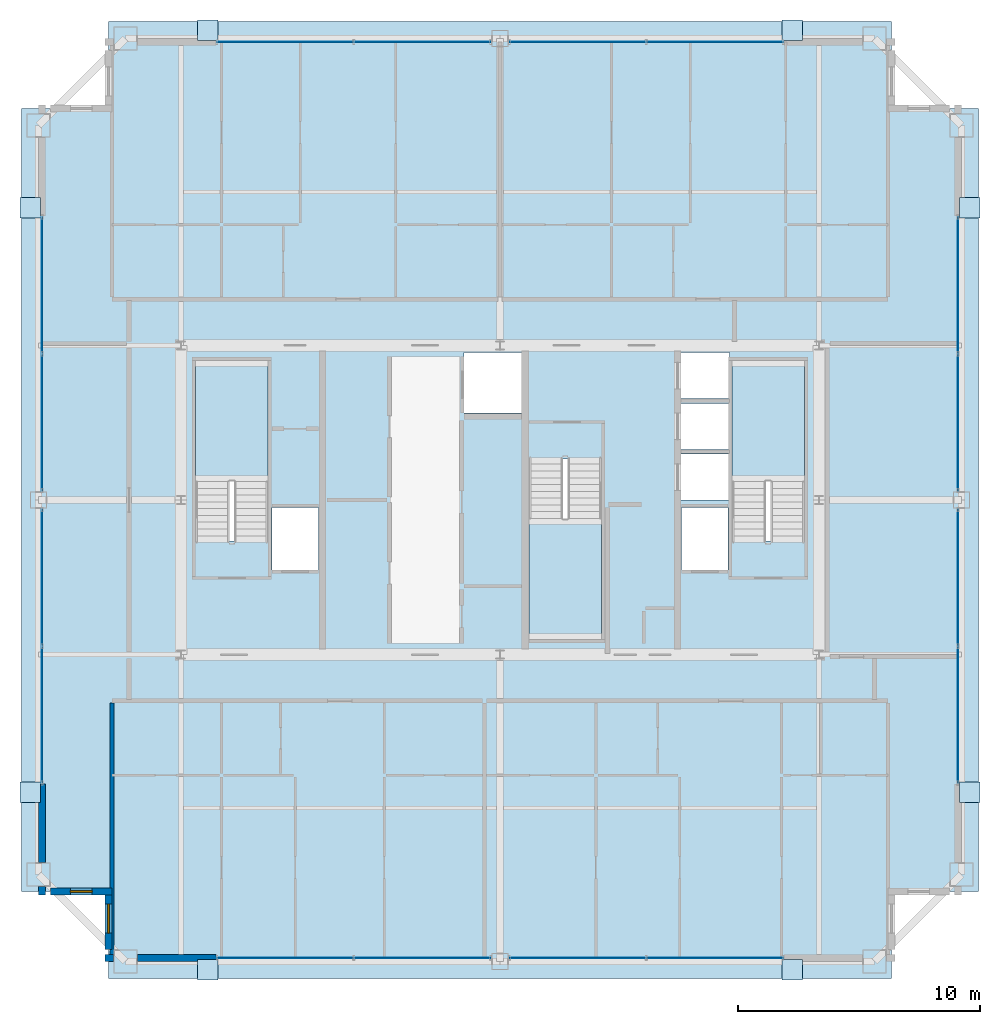
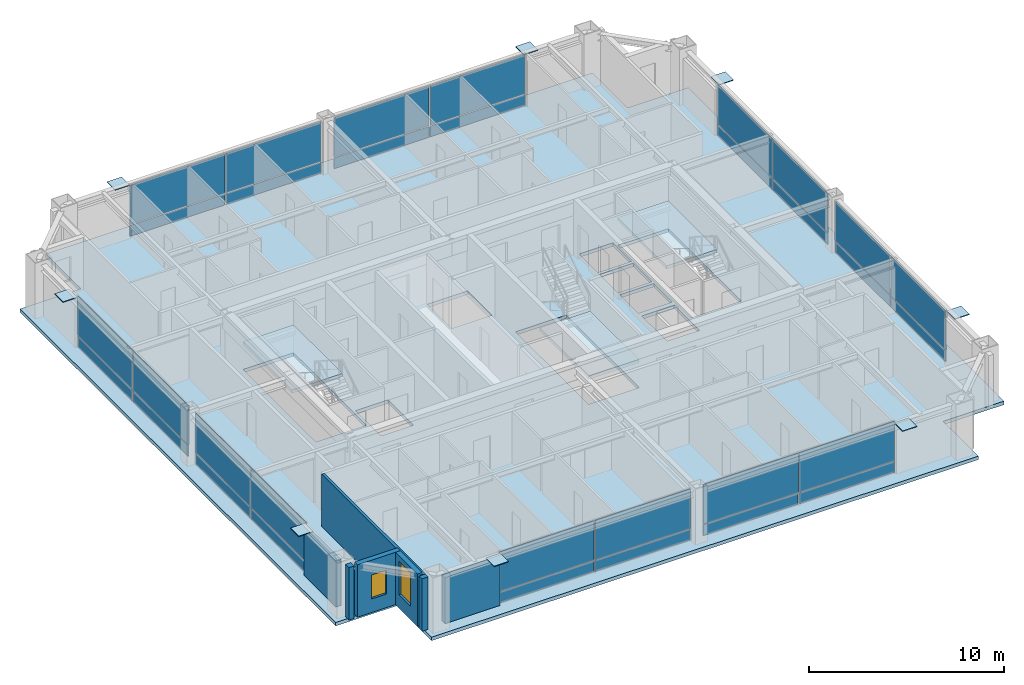
# One storey, part 29 of 35: 40 plates, 7 walls, 4 slabs, 2 windows, 2 openings, 11 elements without a shape of their own.
"""IFC4 building model written with IfcOpenShell, lengths in metres."""

from ifc_helpers import new_model, si_unit, direction, frame, frame_2d, origin, origin_2d, place, context, subcontext, project, spatial, polyline, rectangle, outline, extrude, source, transform, mapped, material, layer, layer_set, type_object, element, fill, aggregate, save


model = new_model("IFC4")

# Units and contexts
model_context = context("Model", 3, precision=1e-05, world=origin(), true_north=direction((0.0, 1.0)))
body_context = subcontext(model_context, "Body", "Model", "MODEL_VIEW")
ifc_project = project(units=[si_unit("LENGTHUNIT", "METRE"), si_unit("AREAUNIT", "SQUARE_METRE"), si_unit("VOLUMEUNIT", "CUBIC_METRE"), si_unit("PLANEANGLEUNIT", "RADIAN"), si_unit("MASSUNIT", "GRAM", prefix="KILO"), si_unit("THERMODYNAMICTEMPERATUREUNIT", "KELVIN"), si_unit("POWERUNIT", "WATT")], contexts=[model_context])

# Site, building, storey
site_placement = place(None, origin())
site = spatial("IfcSite", under=ifc_project, at=site_placement, CompositionType="ELEMENT")
building_placement = place(site_placement, origin())
building = spatial("IfcBuilding", under=site, at=building_placement, Name="Yuzanri Waterfront Tower", CompositionType="ELEMENT")
storey_placement = place(building_placement, frame((0.0, 0.0, 296.10009765625)))
storey = spatial("IfcBuildingStorey", under=building, at=storey_placement, Name="L79", CompositionType="ELEMENT", Elevation=296.10009765625)

# Stair, slab
ifc_material_1 = material(Name="Concrete C40", Category="concrete")
stair_type = type_object("IfcStairType", Name="Concrete C40 Core Dogleg Exit Stair", PredefinedType="HALF_TURN_STAIR", material=ifc_material_1)
stair_1_placement = place(storey_placement, origin())
stair_1 = element("IfcStair", 1, at=stair_1_placement, inside=storey, type_object=stair_type, Name="L79 Smoke-Proof Core Stair ST-01", PredefinedType="HALF_TURN_STAIR")
ifc_material_2 = material(Name="Concrete C40", Category="concrete")
ifc_layer_1 = layer(ifc_material_2, 0.179931640625)
ifc_layer_set_1 = layer_set([ifc_layer_1], Name="Concrete C40")
slab_type_1 = type_object("IfcSlabType", Name="Concrete C40 Stair Half-Landing Slab 180", PredefinedType="LANDING", material=ifc_layer_set_1)
slab_1_placement = place(storey_placement, frame((0.0, 0.0, 1.5498046875)))
slab_1 = element("IfcSlab", 2, at=slab_1_placement, type_object=slab_type_1, Name="ST-01 landing 1", PredefinedType="LANDING", context=body_context, shape_type="SweptSolid", body=[
    extrude(outline(polyline([(27.39990234375, 26.56005859375), (27.39990234375, 31.580078125), (24.39990234375, 31.580078125), (24.39990234375, 26.56005859375), (27.39990234375, 26.56005859375)])), origin(), (0.0, 0.0, 1.0), 0.2001953125),
])
aggregate(stair_1, [slab_1])

stair_2_placement = place(storey_placement, origin())
stair_2 = element("IfcStair", 3, at=stair_2_placement, inside=storey, type_object=stair_type, Name="L79 Smoke-Proof Core Stair ST-02", PredefinedType="HALF_TURN_STAIR")
slab_2_placement = place(storey_placement, frame((0.0, 0.0, 1.5498046875)))
slab_2 = element("IfcSlab", 4, at=slab_2_placement, type_object=slab_type_1, Name="ST-02 landing 1", PredefinedType="LANDING", context=body_context, shape_type="SweptSolid", body=[
    extrude(outline(polyline([(49.60009765625, 26.56005859375), (49.60009765625, 31.580078125), (46.60009765625, 31.580078125), (46.60009765625, 26.56005859375), (49.60009765625, 26.56005859375)])), origin(), (0.0, 0.0, 1.0), 0.2001953125),
])
aggregate(stair_2, [slab_2])

stair_3_placement = place(storey_placement, origin())
stair_3 = element("IfcStair", 5, at=stair_3_placement, inside=storey, type_object=stair_type, Name="L79 Smoke-Proof Core Stair ST-03", PredefinedType="HALF_TURN_STAIR")
slab_3_placement = place(storey_placement, frame((0.0, 0.0, 1.5498046875)))
slab_3 = element("IfcSlab", 6, at=slab_3_placement, type_object=slab_type_1, Name="ST-03 landing 1", PredefinedType="LANDING", context=body_context, shape_type="SweptSolid", body=[
    extrude(outline(polyline([(38.199951171875, 25.0400390625), (38.199951171875, 20.02001953125), (41.199951171875, 20.02001953125), (41.199951171875, 25.0400390625), (38.199951171875, 25.0400390625)])), origin(), (0.0, 0.0, 1.0), 0.2001953125),
])
aggregate(stair_3, [slab_3])

# Slab
ifc_material_3 = material(Name="Concrete C40", Category="concrete")
ifc_layer_2 = layer(ifc_material_3, 0.219970703125)
ifc_layer_set_2 = layer_set([ifc_layer_2], Name="Concrete C40")
slab_type_2 = type_object("IfcSlabType", Name="Concrete C40 Tower Typical Structural Floor Slab 220", PredefinedType="FLOOR", material=ifc_layer_set_2)
slab_4_placement = place(storey_placement, frame((0.0, 0.0, -0.22021484375)))
element("IfcSlab", 7, at=slab_4_placement, inside=storey, type_object=slab_type_2, Name="L79 Main Structural Floor Slab", PredefinedType="FLOOR", context=body_context, shape_type="SweptSolid", body=[
    extrude(outline(polyline([(20.800048828125, 6.0), (53.199951171875, 6.0), (53.199951171875, 9.60009765625), (56.800048828125, 9.60009765625), (56.800048828125, 42.0), (53.199951171875, 42.0), (53.199951171875, 45.60009765625), (20.800048828125, 45.60009765625), (20.800048828125, 42.0), (17.199951171875, 42.0), (17.199951171875, 9.60009765625), (20.800048828125, 9.60009765625), (20.800048828125, 6.0)]), holes=[polyline([(27.39990234375, 24.10009765625), (27.39990234375, 31.580078125), (24.39990234375, 31.580078125), (24.39990234375, 24.10009765625), (27.39990234375, 24.10009765625)]), polyline([(49.60009765625, 24.10009765625), (49.60009765625, 31.580078125), (46.60009765625, 31.580078125), (46.60009765625, 24.10009765625), (49.60009765625, 24.10009765625)]), polyline([(38.199951171875, 27.5), (38.199951171875, 20.02001953125), (41.199951171875, 20.02001953125), (41.199951171875, 27.5), (38.199951171875, 27.5)]), polyline([(27.56005859375, 22.89990234375), (29.47998046875, 22.89990234375), (29.47998046875, 25.5), (27.56005859375, 25.5), (27.56005859375, 22.89990234375)]), polyline([(44.52001953125, 22.89990234375), (46.43994140625, 22.89990234375), (46.43994140625, 25.5), (44.52001953125, 25.5), (44.52001953125, 22.89990234375)]), polyline([(35.5, 29.39990234375), (37.89990234375, 29.39990234375), (37.89990234375, 31.89990234375), (35.5, 31.89990234375), (35.5, 29.39990234375)]), polyline([(44.5, 25.800048828125), (46.5, 25.800048828125), (46.5, 27.699951171875), (44.5, 27.699951171875), (44.5, 25.800048828125)]), polyline([(44.5, 27.89990234375), (46.5, 27.89990234375), (46.5, 29.800048828125), (44.5, 29.800048828125), (44.5, 27.89990234375)]), polyline([(44.5, 30.0), (46.5, 30.0), (46.5, 31.89990234375), (44.5, 31.89990234375), (44.5, 30.0)])]), origin(), (0.0, 0.0, 1.0), 0.22021484375),
])

# Plates
ifc_material_4 = material(Name="Steel Q420GJC", Category="steel")
ifc_layer_3 = layer(ifc_material_4, 0.0400390625)
ifc_layer_set_3 = layer_set([ifc_layer_3], Name="Steel Q420GJC")
plate_type_1 = type_object("IfcPlateType", Name="Steel Q420GJC Mega-Brace Gusset and End-Cap Plate 40", PredefinedType="SHEET", material=ifc_layer_set_3)
shared_shape_1 = source(origin(), body_context, "Body", "SweptSolid", [
    extrude(rectangle(XDim=0.85009765625, YDim=0.85009765625, at=origin_2d()), origin(), (0.0, 0.0, 1.0), 0.0400390625),
])
for number, where, z_axis, x_axis, name in (
    (8, (24.89990234375, 6.360107421875, 3.159912109375), (0.0, 0.0, 1.0), (1.0, 0.0, 0.0), "L79 Mega-Brace Apex Cap Plate S-L"),
    (9, (49.10009765625, 6.360107421875, 3.159912109375), (0.0, 0.0, 1.0), (1.0, 0.0, 0.0), "L79 Mega-Brace Apex Cap Plate S-R"),
    (10, (24.89990234375, 45.239990234375, 3.159912109375), (0.0, 0.0, 1.0), (1.0, 0.0, 0.0), "L79 Mega-Brace Apex Cap Plate N-L"),
    (11, (49.10009765625, 45.239990234375, 3.159912109375), (0.0, 0.0, 1.0), (1.0, 0.0, 0.0), "L79 Mega-Brace Apex Cap Plate N-R"),
    (12, (17.56005859375, 13.699951171875, 3.159912109375), (0.0, 0.0, 1.0), (1.0, 0.0, 0.0), "L79 Mega-Brace Apex Cap Plate W-L"),
    (13, (17.56005859375, 37.89990234375, 3.159912109375), (0.0, 0.0, 1.0), (1.0, 0.0, 0.0), "L79 Mega-Brace Apex Cap Plate W-R"),
    (14, (56.43994140625, 13.699951171875, 3.159912109375), (0.0, 0.0, 1.0), (1.0, 0.0, 0.0), "L79 Mega-Brace Apex Cap Plate E-L"),
    (15, (56.43994140625, 37.89990234375, 3.159912109375), (0.0, 0.0, 1.0), (1.0, 0.0, 0.0), "L79 Mega-Brace Apex Cap Plate E-R"),
):
    element("IfcPlate", number, at=place(storey_placement, frame(where, z_axis=z_axis, x_axis=x_axis)), inside=storey, type_object=plate_type_1, Name=name, PredefinedType="SHEET", context=body_context, shape_type="MappedRepresentation", body=[
        mapped(shared_shape_1, transform((0.0, 0.0, 0.0), scale=1.0)),
    ])

# Curtain wall, plates
ifc_material_5 = material(Name="Anodized Architectural Bronze", Category="metal")
ifc_layer_4 = layer(ifc_material_5, 0.159912109375)
ifc_layer_set_4 = layer_set([ifc_layer_4], Name="Anodized Architectural Bronze")
curtain_wall_type = type_object("IfcCurtainWallType", Name="Anodized Bronze High-Rise Penthouse High-Wind Unitized Curtain Wall 6900", PredefinedType="NOTDEFINED", material=ifc_layer_set_4)
curtain_wall_1_placement = place(storey_placement, origin())
curtain_wall_1 = element("IfcCurtainWall", 16, at=curtain_wall_1_placement, inside=storey, type_object=curtain_wall_type, Name="L79 Curtain Wall CW-L79-SL", PredefinedType="NOTDEFINED")
ifc_material_6 = material(Name="Anodized Architectural Bronze", Category="metal")
ifc_layer_5 = layer(ifc_material_6, 0.028076171875)
ifc_layer_set_5 = layer_set([ifc_layer_5], Name="Anodized Architectural Bronze")
plate_type_2 = type_object("IfcPlateType", Name="Bronze Insulated Spandrel Shadow-Box Panel 28", PredefinedType="CURTAIN_PANEL", material=ifc_layer_set_5)
shared_shape_2 = source(origin(), body_context, "Body", "SweptSolid", [
    extrude(rectangle(XDim=5.6201171875, YDim=0.028076171875, at=origin_2d()), origin(), (0.0, 0.0, 1.0), 0.674072265625),
])
plate_1_placement = place(storey_placement, frame((28.10009765625, 6.85009765625, 0.0498046875), z_axis=(0.0, 0.0, 1.0), x_axis=(1.0, 0.0, 0.0)))
plate_1 = element("IfcPlate", 17, at=plate_1_placement, type_object=plate_type_2, Name="CW-L79-SL Spandrel Panel 01", PredefinedType="CURTAIN_PANEL", context=body_context, shape_type="MappedRepresentation", body=[
    mapped(shared_shape_2, transform((0.0, 0.0, 0.0), scale=1.0)),
])
plate_2_placement = place(storey_placement, frame((33.800048828125, 6.85009765625, 0.0498046875), z_axis=(0.0, 0.0, 1.0), x_axis=(1.0, 0.0, 0.0)))
plate_2 = element("IfcPlate", 18, at=plate_2_placement, type_object=plate_type_2, Name="CW-L79-SL Spandrel Panel 02", PredefinedType="CURTAIN_PANEL", context=body_context, shape_type="MappedRepresentation", body=[
    mapped(shared_shape_2, transform((0.0, 0.0, 0.0), scale=1.0)),
])

curtain_wall_2_placement = place(storey_placement, origin())
curtain_wall_2 = element("IfcCurtainWall", 19, at=curtain_wall_2_placement, inside=storey, type_object=curtain_wall_type, Name="L79 Curtain Wall CW-L79-SR", PredefinedType="NOTDEFINED")
plate_3_placement = place(storey_placement, frame((40.199951171875, 6.85009765625, 0.0498046875), z_axis=(0.0, 0.0, 1.0), x_axis=(1.0, 0.0, 0.0)))
plate_3 = element("IfcPlate", 20, at=plate_3_placement, type_object=plate_type_2, Name="CW-L79-SR Spandrel Panel 01", PredefinedType="CURTAIN_PANEL", context=body_context, shape_type="MappedRepresentation", body=[
    mapped(shared_shape_2, transform((0.0, 0.0, 0.0), scale=1.0)),
])
plate_4_placement = place(storey_placement, frame((45.89990234375, 6.85009765625, 0.0498046875), z_axis=(0.0, 0.0, 1.0), x_axis=(1.0, 0.0, 0.0)))
plate_4 = element("IfcPlate", 21, at=plate_4_placement, type_object=plate_type_2, Name="CW-L79-SR Spandrel Panel 02", PredefinedType="CURTAIN_PANEL", context=body_context, shape_type="MappedRepresentation", body=[
    mapped(shared_shape_2, transform((0.0, 0.0, 0.0), scale=1.0)),
])

curtain_wall_3_placement = place(storey_placement, origin())
curtain_wall_3 = element("IfcCurtainWall", 22, at=curtain_wall_3_placement, inside=storey, type_object=curtain_wall_type, Name="L79 Curtain Wall CW-L79-NL", PredefinedType="NOTDEFINED")
plate_5_placement = place(storey_placement, frame((28.10009765625, 44.75, 0.0498046875), z_axis=(0.0, 0.0, 1.0), x_axis=(1.0, 0.0, 0.0)))
plate_5 = element("IfcPlate", 23, at=plate_5_placement, type_object=plate_type_2, Name="CW-L79-NL Spandrel Panel 01", PredefinedType="CURTAIN_PANEL", context=body_context, shape_type="MappedRepresentation", body=[
    mapped(shared_shape_2, transform((0.0, 0.0, 0.0), scale=1.0)),
])
plate_6_placement = place(storey_placement, frame((33.800048828125, 44.75, 0.0498046875), z_axis=(0.0, 0.0, 1.0), x_axis=(1.0, 0.0, 0.0)))
plate_6 = element("IfcPlate", 24, at=plate_6_placement, type_object=plate_type_2, Name="CW-L79-NL Spandrel Panel 02", PredefinedType="CURTAIN_PANEL", context=body_context, shape_type="MappedRepresentation", body=[
    mapped(shared_shape_2, transform((0.0, 0.0, 0.0), scale=1.0)),
])

curtain_wall_4_placement = place(storey_placement, origin())
curtain_wall_4 = element("IfcCurtainWall", 25, at=curtain_wall_4_placement, inside=storey, type_object=curtain_wall_type, Name="L79 Curtain Wall CW-L79-NR", PredefinedType="NOTDEFINED")
plate_7_placement = place(storey_placement, frame((40.199951171875, 44.75, 0.0498046875), z_axis=(0.0, 0.0, 1.0), x_axis=(1.0, 0.0, 0.0)))
plate_7 = element("IfcPlate", 26, at=plate_7_placement, type_object=plate_type_2, Name="CW-L79-NR Spandrel Panel 01", PredefinedType="CURTAIN_PANEL", context=body_context, shape_type="MappedRepresentation", body=[
    mapped(shared_shape_2, transform((0.0, 0.0, 0.0), scale=1.0)),
])
plate_8_placement = place(storey_placement, frame((45.89990234375, 44.75, 0.0498046875), z_axis=(0.0, 0.0, 1.0), x_axis=(1.0, 0.0, 0.0)))
plate_8 = element("IfcPlate", 27, at=plate_8_placement, type_object=plate_type_2, Name="CW-L79-NR Spandrel Panel 02", PredefinedType="CURTAIN_PANEL", context=body_context, shape_type="MappedRepresentation", body=[
    mapped(shared_shape_2, transform((0.0, 0.0, 0.0), scale=1.0)),
])

curtain_wall_5_placement = place(storey_placement, origin())
curtain_wall_5 = element("IfcCurtainWall", 28, at=curtain_wall_5_placement, inside=storey, type_object=curtain_wall_type, Name="L79 Curtain Wall CW-L79-WL", PredefinedType="NOTDEFINED")
plate_9_placement = place(storey_placement, frame((18.050048828125, 16.89990234375, 0.0498046875), z_axis=(0.0, 0.0, 1.0), x_axis=(0.0, 1.0, 0.0)))
plate_9 = element("IfcPlate", 29, at=plate_9_placement, type_object=plate_type_2, Name="CW-L79-WL Spandrel Panel 01", PredefinedType="CURTAIN_PANEL", context=body_context, shape_type="MappedRepresentation", body=[
    mapped(shared_shape_2, transform((0.0, 0.0, 0.0), scale=1.0)),
])
plate_10_placement = place(storey_placement, frame((18.050048828125, 22.60009765625, 0.0498046875), z_axis=(0.0, 0.0, 1.0), x_axis=(0.0, 1.0, 0.0)))
plate_10 = element("IfcPlate", 30, at=plate_10_placement, type_object=plate_type_2, Name="CW-L79-WL Spandrel Panel 02", PredefinedType="CURTAIN_PANEL", context=body_context, shape_type="MappedRepresentation", body=[
    mapped(shared_shape_2, transform((0.0, 0.0, 0.0), scale=1.0)),
])

curtain_wall_6_placement = place(storey_placement, origin())
curtain_wall_6 = element("IfcCurtainWall", 31, at=curtain_wall_6_placement, inside=storey, type_object=curtain_wall_type, Name="L79 Curtain Wall CW-L79-WR", PredefinedType="NOTDEFINED")
plate_11_placement = place(storey_placement, frame((18.050048828125, 29.0, 0.0498046875), z_axis=(0.0, 0.0, 1.0), x_axis=(0.0, 1.0, 0.0)))
plate_11 = element("IfcPlate", 32, at=plate_11_placement, type_object=plate_type_2, Name="CW-L79-WR Spandrel Panel 01", PredefinedType="CURTAIN_PANEL", context=body_context, shape_type="MappedRepresentation", body=[
    mapped(shared_shape_2, transform((0.0, 0.0, 0.0), scale=1.0)),
])
plate_12_placement = place(storey_placement, frame((18.050048828125, 34.699951171875, 0.0498046875), z_axis=(0.0, 0.0, 1.0), x_axis=(0.0, 1.0, 0.0)))
plate_12 = element("IfcPlate", 33, at=plate_12_placement, type_object=plate_type_2, Name="CW-L79-WR Spandrel Panel 02", PredefinedType="CURTAIN_PANEL", context=body_context, shape_type="MappedRepresentation", body=[
    mapped(shared_shape_2, transform((0.0, 0.0, 0.0), scale=1.0)),
])

curtain_wall_7_placement = place(storey_placement, origin())
curtain_wall_7 = element("IfcCurtainWall", 34, at=curtain_wall_7_placement, inside=storey, type_object=curtain_wall_type, Name="L79 Curtain Wall CW-L79-EL", PredefinedType="NOTDEFINED")
plate_13_placement = place(storey_placement, frame((55.949951171875, 16.89990234375, 0.0498046875), z_axis=(0.0, 0.0, 1.0), x_axis=(0.0, 1.0, 0.0)))
plate_13 = element("IfcPlate", 35, at=plate_13_placement, type_object=plate_type_2, Name="CW-L79-EL Spandrel Panel 01", PredefinedType="CURTAIN_PANEL", context=body_context, shape_type="MappedRepresentation", body=[
    mapped(shared_shape_2, transform((0.0, 0.0, 0.0), scale=1.0)),
])
plate_14_placement = place(storey_placement, frame((55.949951171875, 22.60009765625, 0.0498046875), z_axis=(0.0, 0.0, 1.0), x_axis=(0.0, 1.0, 0.0)))
plate_14 = element("IfcPlate", 36, at=plate_14_placement, type_object=plate_type_2, Name="CW-L79-EL Spandrel Panel 02", PredefinedType="CURTAIN_PANEL", context=body_context, shape_type="MappedRepresentation", body=[
    mapped(shared_shape_2, transform((0.0, 0.0, 0.0), scale=1.0)),
])

curtain_wall_8_placement = place(storey_placement, origin())
curtain_wall_8 = element("IfcCurtainWall", 37, at=curtain_wall_8_placement, inside=storey, type_object=curtain_wall_type, Name="L79 Curtain Wall CW-L79-ER", PredefinedType="NOTDEFINED")
plate_15_placement = place(storey_placement, frame((55.949951171875, 29.0, 0.0498046875), z_axis=(0.0, 0.0, 1.0), x_axis=(0.0, 1.0, 0.0)))
plate_15 = element("IfcPlate", 38, at=plate_15_placement, type_object=plate_type_2, Name="CW-L79-ER Spandrel Panel 01", PredefinedType="CURTAIN_PANEL", context=body_context, shape_type="MappedRepresentation", body=[
    mapped(shared_shape_2, transform((0.0, 0.0, 0.0), scale=1.0)),
])
plate_16_placement = place(storey_placement, frame((55.949951171875, 34.699951171875, 0.0498046875), z_axis=(0.0, 0.0, 1.0), x_axis=(0.0, 1.0, 0.0)))
plate_16 = element("IfcPlate", 39, at=plate_16_placement, type_object=plate_type_2, Name="CW-L79-ER Spandrel Panel 02", PredefinedType="CURTAIN_PANEL", context=body_context, shape_type="MappedRepresentation", body=[
    mapped(shared_shape_2, transform((0.0, 0.0, 0.0), scale=1.0)),
])

# Plate
ifc_material_7 = material(Name="Triple Low-E Laminated Insulated Glass", Category="glass")
ifc_layer_6 = layer(ifc_material_7, 0.0439453125)
ifc_layer_set_6 = layer_set([ifc_layer_6], Name="Triple Low-E Laminated Insulated Glass")
plate_type_3 = type_object("IfcPlateType", Name="Triple Glazed Acoustic Vision Glass Panel 44", PredefinedType="CURTAIN_PANEL", material=ifc_layer_set_6)
shared_shape_3 = source(origin(), body_context, "Body", "SweptSolid", [
    extrude(rectangle(XDim=5.6201171875, YDim=0.0439453125, at=origin_2d()), origin(), (0.0, 0.0, 1.0), 2.446044921875),
])
plate_17_placement = place(storey_placement, frame((28.10009765625, 6.85009765625, 0.78369140625), z_axis=(0.0, 0.0, 1.0), x_axis=(1.0, 0.0, 0.0)))
plate_17 = element("IfcPlate", 40, at=plate_17_placement, type_object=plate_type_3, Name="CW-L79-SL Vision Glass Panel 01", PredefinedType="CURTAIN_PANEL", context=body_context, shape_type="MappedRepresentation", body=[
    mapped(shared_shape_3, transform((0.0, 0.0, 0.0), scale=1.0)),
])

plate_18_placement = place(storey_placement, frame((33.800048828125, 6.85009765625, 0.78369140625), z_axis=(0.0, 0.0, 1.0), x_axis=(1.0, 0.0, 0.0)))
plate_18 = element("IfcPlate", 41, at=plate_18_placement, type_object=plate_type_3, Name="CW-L79-SL Vision Glass Panel 02", PredefinedType="CURTAIN_PANEL", context=body_context, shape_type="MappedRepresentation", body=[
    mapped(shared_shape_3, transform((0.0, 0.0, 0.0), scale=1.0)),
])

aggregate(curtain_wall_1, [plate_1, plate_17, plate_2, plate_18])

plate_19_placement = place(storey_placement, frame((40.199951171875, 6.85009765625, 0.78369140625), z_axis=(0.0, 0.0, 1.0), x_axis=(1.0, 0.0, 0.0)))
plate_19 = element("IfcPlate", 42, at=plate_19_placement, type_object=plate_type_3, Name="CW-L79-SR Vision Glass Panel 01", PredefinedType="CURTAIN_PANEL", context=body_context, shape_type="MappedRepresentation", body=[
    mapped(shared_shape_3, transform((0.0, 0.0, 0.0), scale=1.0)),
])

plate_20_placement = place(storey_placement, frame((45.89990234375, 6.85009765625, 0.78369140625), z_axis=(0.0, 0.0, 1.0), x_axis=(1.0, 0.0, 0.0)))
plate_20 = element("IfcPlate", 43, at=plate_20_placement, type_object=plate_type_3, Name="CW-L79-SR Vision Glass Panel 02", PredefinedType="CURTAIN_PANEL", context=body_context, shape_type="MappedRepresentation", body=[
    mapped(shared_shape_3, transform((0.0, 0.0, 0.0), scale=1.0)),
])

aggregate(curtain_wall_2, [plate_3, plate_19, plate_4, plate_20])

plate_21_placement = place(storey_placement, frame((28.10009765625, 44.75, 0.78369140625), z_axis=(0.0, 0.0, 1.0), x_axis=(1.0, 0.0, 0.0)))
plate_21 = element("IfcPlate", 44, at=plate_21_placement, type_object=plate_type_3, Name="CW-L79-NL Vision Glass Panel 01", PredefinedType="CURTAIN_PANEL", context=body_context, shape_type="MappedRepresentation", body=[
    mapped(shared_shape_3, transform((0.0, 0.0, 0.0), scale=1.0)),
])

plate_22_placement = place(storey_placement, frame((33.800048828125, 44.75, 0.78369140625), z_axis=(0.0, 0.0, 1.0), x_axis=(1.0, 0.0, 0.0)))
plate_22 = element("IfcPlate", 45, at=plate_22_placement, type_object=plate_type_3, Name="CW-L79-NL Vision Glass Panel 02", PredefinedType="CURTAIN_PANEL", context=body_context, shape_type="MappedRepresentation", body=[
    mapped(shared_shape_3, transform((0.0, 0.0, 0.0), scale=1.0)),
])

aggregate(curtain_wall_3, [plate_5, plate_21, plate_6, plate_22])

plate_23_placement = place(storey_placement, frame((40.199951171875, 44.75, 0.78369140625), z_axis=(0.0, 0.0, 1.0), x_axis=(1.0, 0.0, 0.0)))
plate_23 = element("IfcPlate", 46, at=plate_23_placement, type_object=plate_type_3, Name="CW-L79-NR Vision Glass Panel 01", PredefinedType="CURTAIN_PANEL", context=body_context, shape_type="MappedRepresentation", body=[
    mapped(shared_shape_3, transform((0.0, 0.0, 0.0), scale=1.0)),
])

plate_24_placement = place(storey_placement, frame((45.89990234375, 44.75, 0.78369140625), z_axis=(0.0, 0.0, 1.0), x_axis=(1.0, 0.0, 0.0)))
plate_24 = element("IfcPlate", 47, at=plate_24_placement, type_object=plate_type_3, Name="CW-L79-NR Vision Glass Panel 02", PredefinedType="CURTAIN_PANEL", context=body_context, shape_type="MappedRepresentation", body=[
    mapped(shared_shape_3, transform((0.0, 0.0, 0.0), scale=1.0)),
])

aggregate(curtain_wall_4, [plate_7, plate_23, plate_8, plate_24])

plate_25_placement = place(storey_placement, frame((18.050048828125, 16.89990234375, 0.78369140625), z_axis=(0.0, 0.0, 1.0), x_axis=(0.0, 1.0, 0.0)))
plate_25 = element("IfcPlate", 48, at=plate_25_placement, type_object=plate_type_3, Name="CW-L79-WL Vision Glass Panel 01", PredefinedType="CURTAIN_PANEL", context=body_context, shape_type="MappedRepresentation", body=[
    mapped(shared_shape_3, transform((0.0, 0.0, 0.0), scale=1.0)),
])

plate_26_placement = place(storey_placement, frame((18.050048828125, 22.60009765625, 0.78369140625), z_axis=(0.0, 0.0, 1.0), x_axis=(0.0, 1.0, 0.0)))
plate_26 = element("IfcPlate", 49, at=plate_26_placement, type_object=plate_type_3, Name="CW-L79-WL Vision Glass Panel 02", PredefinedType="CURTAIN_PANEL", context=body_context, shape_type="MappedRepresentation", body=[
    mapped(shared_shape_3, transform((0.0, 0.0, 0.0), scale=1.0)),
])

aggregate(curtain_wall_5, [plate_9, plate_25, plate_10, plate_26])

plate_27_placement = place(storey_placement, frame((18.050048828125, 29.0, 0.78369140625), z_axis=(0.0, 0.0, 1.0), x_axis=(0.0, 1.0, 0.0)))
plate_27 = element("IfcPlate", 50, at=plate_27_placement, type_object=plate_type_3, Name="CW-L79-WR Vision Glass Panel 01", PredefinedType="CURTAIN_PANEL", context=body_context, shape_type="MappedRepresentation", body=[
    mapped(shared_shape_3, transform((0.0, 0.0, 0.0), scale=1.0)),
])

plate_28_placement = place(storey_placement, frame((18.050048828125, 34.699951171875, 0.78369140625), z_axis=(0.0, 0.0, 1.0), x_axis=(0.0, 1.0, 0.0)))
plate_28 = element("IfcPlate", 51, at=plate_28_placement, type_object=plate_type_3, Name="CW-L79-WR Vision Glass Panel 02", PredefinedType="CURTAIN_PANEL", context=body_context, shape_type="MappedRepresentation", body=[
    mapped(shared_shape_3, transform((0.0, 0.0, 0.0), scale=1.0)),
])

aggregate(curtain_wall_6, [plate_11, plate_27, plate_12, plate_28])

plate_29_placement = place(storey_placement, frame((55.949951171875, 16.89990234375, 0.78369140625), z_axis=(0.0, 0.0, 1.0), x_axis=(0.0, 1.0, 0.0)))
plate_29 = element("IfcPlate", 52, at=plate_29_placement, type_object=plate_type_3, Name="CW-L79-EL Vision Glass Panel 01", PredefinedType="CURTAIN_PANEL", context=body_context, shape_type="MappedRepresentation", body=[
    mapped(shared_shape_3, transform((0.0, 0.0, 0.0), scale=1.0)),
])

plate_30_placement = place(storey_placement, frame((55.949951171875, 22.60009765625, 0.78369140625), z_axis=(0.0, 0.0, 1.0), x_axis=(0.0, 1.0, 0.0)))
plate_30 = element("IfcPlate", 53, at=plate_30_placement, type_object=plate_type_3, Name="CW-L79-EL Vision Glass Panel 02", PredefinedType="CURTAIN_PANEL", context=body_context, shape_type="MappedRepresentation", body=[
    mapped(shared_shape_3, transform((0.0, 0.0, 0.0), scale=1.0)),
])

aggregate(curtain_wall_7, [plate_13, plate_29, plate_14, plate_30])

plate_31_placement = place(storey_placement, frame((55.949951171875, 29.0, 0.78369140625), z_axis=(0.0, 0.0, 1.0), x_axis=(0.0, 1.0, 0.0)))
plate_31 = element("IfcPlate", 54, at=plate_31_placement, type_object=plate_type_3, Name="CW-L79-ER Vision Glass Panel 01", PredefinedType="CURTAIN_PANEL", context=body_context, shape_type="MappedRepresentation", body=[
    mapped(shared_shape_3, transform((0.0, 0.0, 0.0), scale=1.0)),
])

plate_32_placement = place(storey_placement, frame((55.949951171875, 34.699951171875, 0.78369140625), z_axis=(0.0, 0.0, 1.0), x_axis=(0.0, 1.0, 0.0)))
plate_32 = element("IfcPlate", 55, at=plate_32_placement, type_object=plate_type_3, Name="CW-L79-ER Vision Glass Panel 02", PredefinedType="CURTAIN_PANEL", context=body_context, shape_type="MappedRepresentation", body=[
    mapped(shared_shape_3, transform((0.0, 0.0, 0.0), scale=1.0)),
])

aggregate(curtain_wall_8, [plate_15, plate_31, plate_16, plate_32])

# Wall, opening, window
ifc_material_8 = material(Name="Honed Chongqing Dark Basalt Stone", Category="masonry")
ifc_layer_7 = layer(ifc_material_8, 0.300048828125)
ifc_layer_set_7 = layer_set([ifc_layer_7], Name="Honed Chongqing Dark Basalt Stone")
wall_type_1 = type_object("IfcWallType", Name="Bronze Rainscreen Insulated Spandrel Portal Wall 300", PredefinedType="SOLIDWALL", material=ifc_layer_set_7)
wall_1_placement = place(storey_placement, frame((18.39990234375, 9.60009765625, 0.0), z_axis=(0.0, 0.0, 1.0), x_axis=(1.0, 0.0, 0.0)))
wall_1 = element("IfcWall", 56, at=wall_1_placement, inside=storey, type_object=wall_type_1, Name="L79 Notched Corner Masonry Wall SW-X", PredefinedType="SOLIDWALL", context=body_context, shape_type="SweptSolid", body=[
    extrude(rectangle(XDim=2.550048828125, YDim=0.300048828125, at=frame_2d((1.27490234375, 0.0))), origin(), (0.0, 0.0, 1.0), 3.27978515625),
])
opening_1_placement = place(wall_1_placement, frame((0.824951171875, 0.0, 0.85009765625)))
opening_1 = element("IfcOpeningElement", 57, at=opening_1_placement, cuts=wall_1, Name="Opening WN-05", PredefinedType="OPENING", context=body_context, shape_type="SweptSolid", body=[
    extrude(rectangle(XDim=0.89990234375, YDim=1.5, at=frame_2d((0.449951171875, 0.75))), frame((0.0, 0.1650390625, 0.0), z_axis=(0.0, -1.0, 0.0), x_axis=(1.0, 0.0, 0.0)), (0.0, 0.0, 1.0), 0.329833984375),
])
ifc_material_9 = material(Name="Double-Silver Low-E Insulated Glass", Category="glass")
window_type_1 = type_object("IfcWindowType", Name="Anodized Bronze Service and Stairwell Smoke-Vent Window 900x1500", PartitioningType="SINGLE_PANEL", PredefinedType="WINDOW", material=ifc_material_9)
shared_shape_4 = source(origin(), body_context, "Body", "SweptSolid", [
    extrude(rectangle(XDim=0.89990234375, YDim=1.5, at=frame_2d((0.449951171875, 0.75))), frame((0.0, 0.030029296875, 0.0), z_axis=(0.0, -1.0, 0.0), x_axis=(1.0, 0.0, 0.0)), (0.0, 0.0, 1.0), 0.06005859375),
])
window_1_placement = place(opening_1_placement, origin())
window_1 = element("IfcWindow", 58, at=window_1_placement, inside=storey, type_object=window_type_1, Name="L79 Notched Corner Window SW-X", OverallHeight=1.5, OverallWidth=0.89990234375, PartitioningType="SINGLE_PANEL", PredefinedType="WINDOW", context=body_context, shape_type="MappedRepresentation", body=[
    mapped(shared_shape_4, transform((0.0, 0.0, 0.0), scale=1.0)),
])
fill(opening_1, window_1)

wall_2_placement = place(storey_placement, frame((20.800048828125, 9.75, 0.0), z_axis=(0.0, 0.0, 1.0), x_axis=(0.0, -1.0, 0.0)))
wall_2 = element("IfcWall", 59, at=wall_2_placement, inside=storey, type_object=wall_type_1, Name="L79 Notched Corner Masonry Wall SW-Y", PredefinedType="SOLIDWALL", context=body_context, shape_type="SweptSolid", body=[
    extrude(rectangle(XDim=2.550048828125, YDim=0.300048828125, at=frame_2d((1.27490234375, 0.0))), origin(), (0.0, 0.0, 1.0), 3.27978515625),
])
opening_2_placement = place(wall_2_placement, frame((0.675048828125, 0.0, 0.85009765625)))
opening_2 = element("IfcOpeningElement", 60, at=opening_2_placement, cuts=wall_2, Name="Opening WN-02", PredefinedType="OPENING", context=body_context, shape_type="SweptSolid", body=[
    extrude(rectangle(XDim=1.199951171875, YDim=2.10009765625, at=frame_2d((0.60009765625, 1.050048828125))), frame((0.0, 0.1650390625, 0.0), z_axis=(0.0, -1.0, 0.0), x_axis=(1.0, 0.0, 0.0)), (0.0, 0.0, 1.0), 0.329833984375),
])
ifc_material_10 = material(Name="Double-Silver Low-E Insulated Glass", Category="glass")
window_type_2 = type_object("IfcWindowType", Name="Anodized Bronze Notched Corner Deep-Set Slot Window 1200x2100", PartitioningType="SINGLE_PANEL", PredefinedType="WINDOW", material=ifc_material_10)
shared_shape_5 = source(origin(), body_context, "Body", "SweptSolid", [
    extrude(rectangle(XDim=1.199951171875, YDim=2.10009765625, at=frame_2d((0.60009765625, 1.050048828125))), frame((0.0, 0.030029296875, 0.0), z_axis=(0.0, -1.0, 0.0), x_axis=(1.0, 0.0, 0.0)), (0.0, 0.0, 1.0), 0.06005859375),
])
window_2_placement = place(opening_2_placement, origin())
window_2 = element("IfcWindow", 61, at=window_2_placement, inside=storey, type_object=window_type_2, Name="L79 Notched Corner Window SW-Y", OverallHeight=2.10009765625, OverallWidth=1.199951171875, PartitioningType="SINGLE_PANEL", PredefinedType="WINDOW", context=body_context, shape_type="MappedRepresentation", body=[
    mapped(shared_shape_5, transform((0.0, 0.0, 0.0), scale=1.0)),
])
fill(opening_2, window_2)

# Walls
shared_shape_6 = source(origin(), body_context, "Body", "SweptSolid", [
    extrude(rectangle(XDim=0.35009765625, YDim=0.300048828125, at=frame_2d((0.175048828125, 0.0))), origin(), (0.0, 0.0, 1.0), 3.27978515625),
])
for number, where, z_axis, x_axis, name in (
    (62, (20.64990234375, 6.85009765625, 0.0), (0.0, 0.0, 1.0), (1.0, 0.0, 0.0), "L79 Corner Column Shoulder Return CSW"),
    (63, (18.050048828125, 9.449951171875, 0.0), (0.0, 0.0, 1.0), (0.0, 1.0, 0.0), "L79 Corner Column Shoulder Return CWS"),
):
    element("IfcWall", number, at=place(storey_placement, frame(where, z_axis=z_axis, x_axis=x_axis)), inside=storey, type_object=wall_type_1, Name=name, PredefinedType="SOLIDWALL", context=body_context, shape_type="MappedRepresentation", body=[
        mapped(shared_shape_6, transform((0.0, 0.0, 0.0), scale=1.0)),
    ])
shared_shape_7 = source(origin(), body_context, "Body", "SweptSolid", [
    extrude(rectangle(XDim=3.25, YDim=0.300048828125, at=frame_2d((1.625, 0.0))), origin(), (0.0, 0.0, 1.0), 2.885009765625),
])
for number, where, z_axis, x_axis, name in (
    (64, (22.0, 6.85009765625, 0.0), (0.0, 0.0, 1.0), (1.0, 0.0, 0.0), "L79 S Left Braced Masonry Shoulder"),
    (65, (18.050048828125, 10.800048828125, 0.0), (0.0, 0.0, 1.0), (0.0, 1.0, 0.0), "L79 W Left Braced Masonry Shoulder"),
):
    element("IfcWall", number, at=place(storey_placement, frame(where, z_axis=z_axis, x_axis=x_axis)), inside=storey, type_object=wall_type_1, Name=name, PredefinedType="SOLIDWALL", context=body_context, shape_type="MappedRepresentation", body=[
        mapped(shared_shape_7, transform((0.0, 0.0, 0.0), scale=1.0)),
    ])
ifc_material_11 = material(Name="Gypsum Fireboard Acoustic Stud Wall", Category="gypsum")
ifc_layer_8 = layer(ifc_material_11, 0.159912109375)
ifc_layer_set_8 = layer_set([ifc_layer_8], Name="Gypsum Fireboard Acoustic Stud Wall")
wall_type_2 = type_object("IfcWallType", Name="Acoustic Suite Demising Partition 160", PredefinedType="PARTITIONING", material=ifc_layer_set_8)
shared_shape_8 = source(origin(), body_context, "Body", "SweptSolid", [
    extrude(rectangle(XDim=10.389892578125, YDim=0.159912109375, at=frame_2d((5.19482421875, 0.0))), origin(), (0.0, 0.0, 1.0), 3.27978515625),
])
wall_3_placement = place(storey_placement, frame((20.949951171875, 7.0, 0.0), z_axis=(0.0, 0.0, 1.0), x_axis=(0.0, 1.0, 0.0)))
element("IfcWall", 66, at=wall_3_placement, inside=storey, type_object=wall_type_2, Name="L79 South Band West End Wall", PredefinedType="PARTITIONING", context=body_context, shape_type="MappedRepresentation", body=[
    mapped(shared_shape_8, transform((0.0, 0.0, 0.0), scale=1.0)),
])

save(model, "model.ifc")
